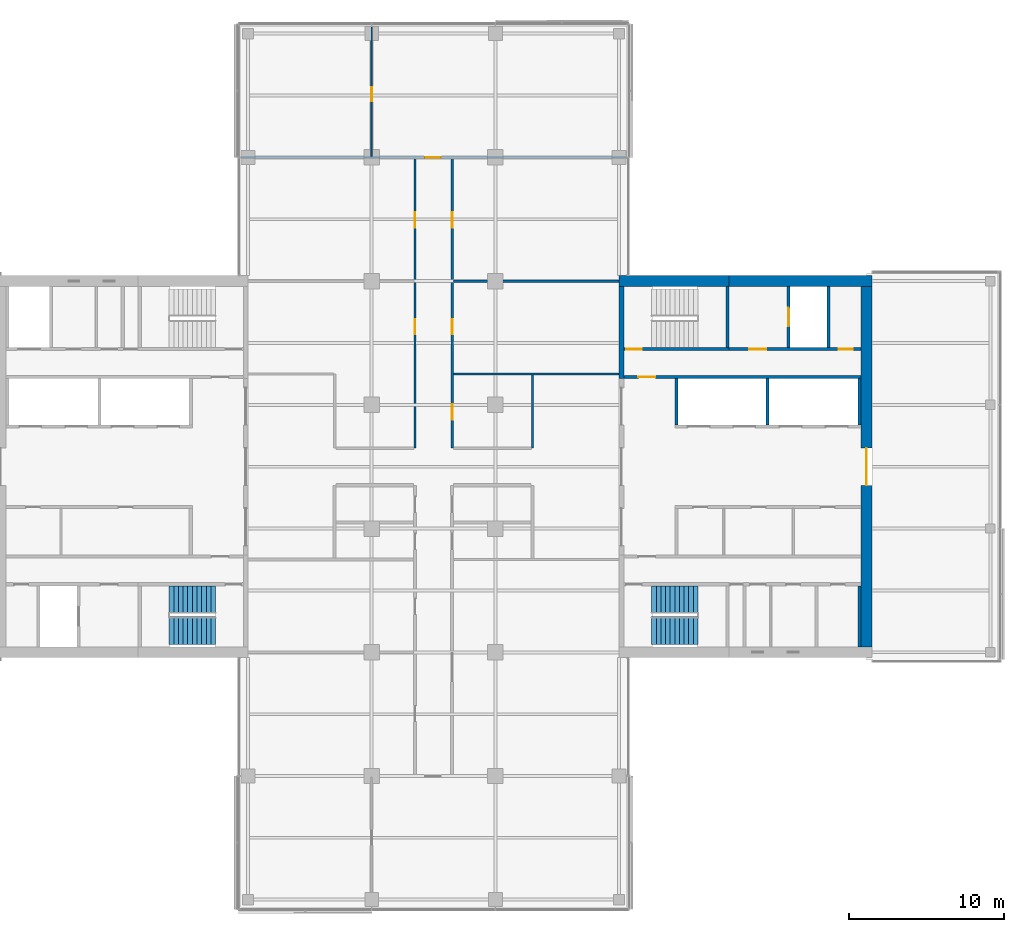
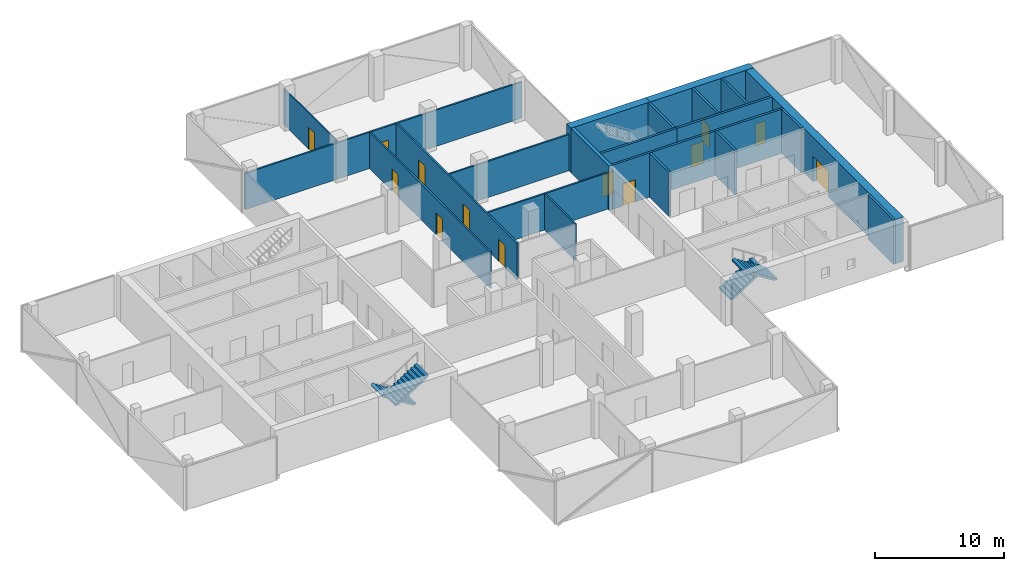
# One storey, part 16 of 22: 21 walls, 13 doors, 4 stair flights, 13 openings, 2 elements without a shape of their own.
"""IFC4 building model written with IfcOpenShell, lengths in metres."""

from ifc_helpers import new_model, si_unit, direction, frame, frame_2d, origin, place, context, subcontext, project, spatial, polyline, rectangle, outline, extrude, material, layer, layer_set, constituent, constituent_set, type_object, element, fill, aggregate, save


model = new_model("IFC4")

# Units and contexts
model_context = context("Model", 3, precision=1e-05, world=origin(), true_north=direction((0.0, 1.0)))
body_context = subcontext(model_context, "Body", "Model", "MODEL_VIEW")
ifc_project = project(units=[si_unit("LENGTHUNIT", "METRE"), si_unit("AREAUNIT", "SQUARE_METRE"), si_unit("VOLUMEUNIT", "CUBIC_METRE"), si_unit("PLANEANGLEUNIT", "RADIAN"), si_unit("MASSUNIT", "GRAM", prefix="KILO")], contexts=[model_context])

# Site, building, storey
site_placement = place(None, origin())
site = spatial("IfcSite", under=ifc_project, at=site_placement, CompositionType="ELEMENT")
building_placement = place(site_placement, origin())
building = spatial("IfcBuilding", under=site, at=building_placement, Name="Crosswind Convention Tower", CompositionType="ELEMENT")
storey_placement = place(building_placement, frame((0.0, 0.0, 158.89990234375)))
storey = spatial("IfcBuildingStorey", under=building, at=storey_placement, Name="L33", CompositionType="ELEMENT", Elevation=158.89990234375)

# Wall, opening, door
ifc_material_1 = material(Name="Concrete C60/75", Category="concrete")
ifc_layer_1 = layer(ifc_material_1, 0.699951171875)
ifc_layer_set_1 = layer_set([ifc_layer_1], Name="Concrete C60/75")
wall_type_1 = type_object("IfcWallType", Name="Concrete core wall 700", PredefinedType="SHEAR", material=ifc_layer_set_1)
wall_1_placement = place(storey_placement, frame((153.0, 88.35009765625, 0.0), z_axis=(0.0, 0.0, 1.0), x_axis=(0.0, 1.0, 0.0)))
wall_1 = element("IfcWall", 1, at=wall_1_placement, inside=storey, type_object=wall_type_1, Name="Wall O E L33", PredefinedType="SHEAR", context=body_context, shape_type="SweptSolid", body=[
    extrude(rectangle(XDim=23.2998046875, YDim=0.699951171875, at=frame_2d((11.64990234375, 0.0))), origin(), (0.0, 0.0, 1.0), 4.2001953125),
])
opening_1_placement = place(wall_1_placement, frame((10.449951171875, 0.0, 0.0)))
opening_1 = element("IfcOpeningElement", 2, at=opening_1_placement, cuts=wall_1, Name="Opening D100", PredefinedType="OPENING", context=body_context, shape_type="SweptSolid", body=[
    extrude(rectangle(XDim=2.39990234375, YDim=2.39990234375, at=frame_2d((1.199951171875, 1.199951171875))), frame((0.0, 0.35986328125, 0.0), z_axis=(0.0, -1.0, 0.0), x_axis=(1.0, 0.0, 0.0)), (0.0, 0.0, 1.0), 0.719970703125),
])
ifc_material_2 = material(Name="Steel fire door with glazed vision panels", Category="steel")
door_type_1 = type_object("IfcDoorType", Name="Fire-rated double door 2400x2400", OperationType="DOUBLE_DOOR_SINGLE_SWING", PredefinedType="DOOR", material=ifc_material_2)
door_1_placement = place(opening_1_placement, frame((2.39990234375, 0.0, 0.0), z_axis=(0.0, 0.0, 1.0), x_axis=(-1.0, 0.0, 0.0)))
door_1 = element("IfcDoor", 3, at=door_1_placement, inside=storey, type_object=door_type_1, Name="Lobby outer door L33", ObjectType="D100", OperationType="DOUBLE_DOOR_SINGLE_SWING", OverallHeight=2.39990234375, OverallWidth=2.39990234375, PredefinedType="DOOR", context=body_context, shape_type="SweptSolid", body=[
    extrude(rectangle(XDim=2.39990234375, YDim=2.39990234375, at=frame_2d((1.199951171875, 1.199951171875))), frame((0.0, 0.02490234375, 0.0), z_axis=(0.0, -1.0, 0.0), x_axis=(1.0, 0.0, 0.0)), (0.0, 0.0, 1.0), 0.050048828125),
])
fill(opening_1, door_1)

# Walls
ifc_material_3 = material(Name="Concrete C50/60", Category="concrete")
ifc_layer_2 = layer(ifc_material_3, 0.300048828125)
ifc_layer_set_2 = layer_set([ifc_layer_2], Name="Concrete C50/60")
wall_type_2 = type_object("IfcWallType", Name="Concrete inner core wall 300", PredefinedType="SHEAR", material=ifc_layer_set_2)
wall_2_placement = place(storey_placement, frame((137.14990234375, 105.699951171875, 0.0), z_axis=(0.0, 0.0, 1.0), x_axis=(0.0, 1.0, 0.0)))
element("IfcWall", 4, at=wall_2_placement, inside=storey, type_object=wall_type_2, Name="Wall EP E L33", PredefinedType="SHEAR", context=body_context, shape_type="SweptSolid", body=[
    extrude(rectangle(XDim=5.949951171875, YDim=0.300048828125, at=frame_2d((2.97509765625, 0.0))), origin(), (0.0, 0.0, 1.0), 4.2001953125),
])
ifc_layer_3 = layer(ifc_material_3, 0.199951171875)
ifc_layer_set_3 = layer_set([ifc_layer_3], Name="Concrete C50/60")
wall_type_3 = type_object("IfcWallType", Name="Concrete shaft and stair wall 200", PredefinedType="SHEAR", material=ifc_layer_set_3)
for number, where, z_axis, x_axis, name in (
    (5, (140.699951171875, 102.699951171875, 0.0), (0.0, 0.0, 1.0), (0.0, 1.0, 0.0), "Wall RPEND E L33"),
    (6, (146.60009765625, 102.699951171875, 0.0), (0.0, 0.0, 1.0), (0.0, 1.0, 0.0), "Wall RPSEP E L33"),
    (7, (152.550048828125, 102.699951171875, 0.0), (0.0, 0.0, 1.0), (0.0, 1.0, 0.0), "Wall RPEAST E L33"),
):
    element("IfcWall", number, at=place(storey_placement, frame(where, z_axis=z_axis, x_axis=x_axis)), inside=storey, type_object=wall_type_3, Name=name, PredefinedType="SHEAR", context=body_context, shape_type="SweptSolid", body=[
        extrude(rectangle(XDim=3.0, YDim=0.199951171875, at=frame_2d((1.5, 0.0))), origin(), (0.0, 0.0, 1.0), 4.2001953125),
    ])

# Wall, opening, door
wall_3_placement = place(storey_placement, frame((137.300048828125, 105.800048828125, 0.0), z_axis=(0.0, 0.0, 1.0), x_axis=(1.0, 0.0, 0.0)))
wall_3 = element("IfcWall", 8, at=wall_3_placement, inside=storey, type_object=wall_type_3, Name="Wall HP E L33", PredefinedType="SHEAR", context=body_context, shape_type="SweptSolid", body=[
    extrude(rectangle(XDim=15.349853515625, YDim=0.199951171875, at=frame_2d((7.6748046875, 0.0))), origin(), (0.0, 0.0, 1.0), 4.2001953125),
])
opening_2_placement = place(wall_3_placement, frame((0.949951171875, 0.0, 0.0)))
opening_2 = element("IfcOpeningElement", 9, at=opening_2_placement, cuts=wall_3, Name="Opening D104", PredefinedType="OPENING", context=body_context, shape_type="SweptSolid", body=[
    extrude(rectangle(XDim=1.10009765625, YDim=2.10009765625, at=frame_2d((0.550048828125, 1.050048828125))), frame((0.0, 0.10986328125, 0.0), z_axis=(0.0, -1.0, 0.0), x_axis=(1.0, 0.0, 0.0)), (0.0, 0.0, 1.0), 0.219970703125),
])
ifc_material_4 = material(Name="Steel fire door", Category="steel")
door_type_2 = type_object("IfcDoorType", Name="Fire-rated single door 1100x2100", OperationType="NOTDEFINED", PredefinedType="DOOR", material=ifc_material_4)
door_2_placement = place(opening_2_placement, origin())
door_2 = element("IfcDoor", 10, at=door_2_placement, inside=storey, type_object=door_type_2, Name="Corridor door L33", ObjectType="D104", OperationType="SINGLE_SWING_LEFT", OverallHeight=2.10009765625, OverallWidth=1.10009765625, PredefinedType="DOOR", context=body_context, shape_type="SweptSolid", body=[
    extrude(rectangle(XDim=1.10009765625, YDim=2.10009765625, at=frame_2d((0.550048828125, 1.050048828125))), frame((0.0, 0.02490234375, 0.0), z_axis=(0.0, -1.0, 0.0), x_axis=(1.0, 0.0, 0.0)), (0.0, 0.0, 1.0), 0.050048828125),
])
fill(opening_2, door_2)

# Wall
wall_4_placement = place(storey_placement, frame((144.0, 107.699951171875, 0.0), z_axis=(0.0, 0.0, 1.0), x_axis=(0.0, 1.0, 0.0)))
element("IfcWall", 11, at=wall_4_placement, inside=storey, type_object=wall_type_3, Name="Wall PSE E L33", PredefinedType="SHEAR", context=body_context, shape_type="SweptSolid", body=[
    extrude(rectangle(XDim=3.949951171875, YDim=0.199951171875, at=frame_2d((1.97509765625, 0.0))), origin(), (0.0, 0.0, 1.0), 4.2001953125),
])

# Wall, opening, door
wall_5_placement = place(storey_placement, frame((147.949951171875, 107.699951171875, 0.0), z_axis=(0.0, 0.0, 1.0), x_axis=(0.0, 1.0, 0.0)))
wall_5 = element("IfcWall", 12, at=wall_5_placement, inside=storey, type_object=wall_type_3, Name="Wall PFLW E L33", PredefinedType="SHEAR", context=body_context, shape_type="SweptSolid", body=[
    extrude(rectangle(XDim=3.949951171875, YDim=0.199951171875, at=frame_2d((1.97509765625, 0.0))), origin(), (0.0, 0.0, 1.0), 4.2001953125),
])
opening_3_placement = place(wall_5_placement, frame((1.375, 0.0, 0.0)))
opening_3 = element("IfcOpeningElement", 13, at=opening_3_placement, cuts=wall_5, Name="Opening LD1", PredefinedType="OPENING", context=body_context, shape_type="SweptSolid", body=[
    extrude(rectangle(XDim=1.199951171875, YDim=2.10009765625, at=frame_2d((0.60009765625, 1.050048828125))), frame((0.0, 0.10986328125, 0.0), z_axis=(0.0, -1.0, 0.0), x_axis=(1.0, 0.0, 0.0)), (0.0, 0.0, 1.0), 0.219970703125),
])
ifc_material_5 = material(Name="Stainless steel", Category="steel")
door_type_3 = type_object("IfcDoorType", Name="Lift landing door 1200x2100", OperationType="DOUBLE_DOOR_SLIDING", PredefinedType="DOOR", material=ifc_material_5)
door_3_placement = place(opening_3_placement, origin())
door_3 = element("IfcDoor", 14, at=door_3_placement, inside=storey, type_object=door_type_3, Name="Landing door FF1 L33", ObjectType="LD1", OperationType="DOUBLE_DOOR_SLIDING", OverallHeight=2.10009765625, OverallWidth=1.199951171875, PredefinedType="DOOR", context=body_context, shape_type="SweptSolid", body=[
    extrude(rectangle(XDim=1.199951171875, YDim=2.10009765625, at=frame_2d((0.60009765625, 1.050048828125))), frame((0.0, 0.02490234375, 0.0), z_axis=(0.0, -1.0, 0.0), x_axis=(1.0, 0.0, 0.0)), (0.0, 0.0, 1.0), 0.050048828125),
])
fill(opening_3, door_3)

# Wall
wall_6_placement = place(storey_placement, frame((150.550048828125, 107.699951171875, 0.0), z_axis=(0.0, 0.0, 1.0), x_axis=(0.0, 1.0, 0.0)))
element("IfcWall", 15, at=wall_6_placement, inside=storey, type_object=wall_type_3, Name="Wall PFSE E L33", PredefinedType="SHEAR", context=body_context, shape_type="SweptSolid", body=[
    extrude(rectangle(XDim=3.949951171875, YDim=0.199951171875, at=frame_2d((1.97509765625, 0.0))), origin(), (0.0, 0.0, 1.0), 4.2001953125),
])

# Wall, opening, door
wall_7_placement = place(storey_placement, frame((137.300048828125, 107.60009765625, 0.0), z_axis=(0.0, 0.0, 1.0), x_axis=(1.0, 0.0, 0.0)))
wall_7 = element("IfcWall", 16, at=wall_7_placement, inside=storey, type_object=wall_type_3, Name="Wall PCW E L33", PredefinedType="SHEAR", context=body_context, shape_type="SweptSolid", body=[
    extrude(rectangle(XDim=6.800048828125, YDim=0.199951171875, at=frame_2d((3.39990234375, 0.0))), origin(), (0.0, 0.0, 1.0), 4.2001953125),
])
opening_4_placement = place(wall_7_placement, frame((0.14990234375, 0.0, 0.0)))
opening_4 = element("IfcOpeningElement", 17, at=opening_4_placement, cuts=wall_7, Name="Opening D103", PredefinedType="OPENING", context=body_context, shape_type="SweptSolid", body=[
    extrude(rectangle(XDim=1.0, YDim=2.10009765625, at=frame_2d((0.5, 1.050048828125))), frame((0.0, 0.10986328125, 0.0), z_axis=(0.0, -1.0, 0.0), x_axis=(1.0, 0.0, 0.0)), (0.0, 0.0, 1.0), 0.219970703125),
])
door_type_4 = type_object("IfcDoorType", Name="Fire-rated single door 1000x2100", OperationType="NOTDEFINED", PredefinedType="DOOR", material=ifc_material_4)
door_4_placement = place(opening_4_placement, origin())
door_4 = element("IfcDoor", 18, at=door_4_placement, inside=storey, type_object=door_type_4, Name="Stair ST1 door L33", ObjectType="D103", OperationType="SINGLE_SWING_LEFT", OverallHeight=2.10009765625, OverallWidth=1.0, PredefinedType="DOOR", context=body_context, shape_type="SweptSolid", body=[
    extrude(rectangle(XDim=1.0, YDim=2.10009765625, at=frame_2d((0.5, 1.050048828125))), frame((0.0, 0.02490234375, 0.0), z_axis=(0.0, -1.0, 0.0), x_axis=(1.0, 0.0, 0.0)), (0.0, 0.0, 1.0), 0.050048828125),
])
fill(opening_4, door_4)

# Wall, openings, doors
wall_8_placement = place(storey_placement, frame((144.10009765625, 107.60009765625, 0.0), z_axis=(0.0, 0.0, 1.0), x_axis=(1.0, 0.0, 0.0)))
wall_8 = element("IfcWall", 19, at=wall_8_placement, inside=storey, type_object=wall_type_3, Name="Wall PCX E L33", PredefinedType="SHEAR", context=body_context, shape_type="SweptSolid", body=[
    extrude(rectangle(XDim=8.5498046875, YDim=0.199951171875, at=frame_2d((4.27490234375, 0.0))), origin(), (0.0, 0.0, 1.0), 4.2001953125),
])
opening_5_placement = place(wall_8_placement, frame((1.324951171875, 0.0, 0.0)))
opening_5 = element("IfcOpeningElement", 20, at=opening_5_placement, cuts=wall_8, Name="Opening D104", PredefinedType="OPENING", context=body_context, shape_type="SweptSolid", body=[
    extrude(rectangle(XDim=1.10009765625, YDim=2.10009765625, at=frame_2d((0.550048828125, 1.050048828125))), frame((0.0, 0.10986328125, 0.0), z_axis=(0.0, -1.0, 0.0), x_axis=(1.0, 0.0, 0.0)), (0.0, 0.0, 1.0), 0.219970703125),
])
opening_6_placement = place(wall_8_placement, frame((7.10009765625, 0.0, 0.0)))
opening_6 = element("IfcOpeningElement", 21, at=opening_6_placement, cuts=wall_8, Name="Opening D106", PredefinedType="OPENING", context=body_context, shape_type="SweptSolid", body=[
    extrude(rectangle(XDim=0.89990234375, YDim=2.10009765625, at=frame_2d((0.449951171875, 1.050048828125))), frame((0.0, 0.10986328125, 0.0), z_axis=(0.0, -1.0, 0.0), x_axis=(1.0, 0.0, 0.0)), (0.0, 0.0, 1.0), 0.219970703125),
])
door_5_placement = place(opening_5_placement, origin())
door_5 = element("IfcDoor", 22, at=door_5_placement, inside=storey, type_object=door_type_2, Name="Fire-fighting lobby FF1 door L33", ObjectType="D104", OperationType="SINGLE_SWING_RIGHT", OverallHeight=2.10009765625, OverallWidth=1.10009765625, PredefinedType="DOOR", context=body_context, shape_type="SweptSolid", body=[
    extrude(rectangle(XDim=1.10009765625, YDim=2.10009765625, at=frame_2d((0.550048828125, 1.050048828125))), frame((0.0, 0.02490234375, 0.0), z_axis=(0.0, -1.0, 0.0), x_axis=(1.0, 0.0, 0.0)), (0.0, 0.0, 1.0), 0.050048828125),
])
fill(opening_5, door_5)
ifc_material_6 = material(Name="Timber door", Category="wood")
door_type_5 = type_object("IfcDoorType", Name="Single leaf door 900x2100", OperationType="NOTDEFINED", PredefinedType="DOOR", material=ifc_material_6)
door_6_placement = place(opening_6_placement, origin())
door_6 = element("IfcDoor", 23, at=door_6_placement, inside=storey, type_object=door_type_5, Name="Door to comms room L33", ObjectType="D106", OperationType="SINGLE_SWING_RIGHT", OverallHeight=2.10009765625, OverallWidth=0.89990234375, PredefinedType="DOOR", context=body_context, shape_type="SweptSolid", body=[
    extrude(rectangle(XDim=0.89990234375, YDim=2.10009765625, at=frame_2d((0.449951171875, 1.050048828125))), frame((0.0, 0.02490234375, 0.0), z_axis=(0.0, -1.0, 0.0), x_axis=(1.0, 0.0, 0.0)), (0.0, 0.0, 1.0), 0.050048828125),
])
fill(opening_6, door_6)

# Wall
wall_9_placement = place(storey_placement, frame((152.550048828125, 88.35009765625, 0.0), z_axis=(0.0, 0.0, 1.0), x_axis=(0.0, 1.0, 0.0)))
element("IfcWall", 24, at=wall_9_placement, inside=storey, type_object=wall_type_3, Name="Wall MFSE E L33", PredefinedType="SHEAR", context=body_context, shape_type="SweptSolid", body=[
    extrude(rectangle(XDim=3.949951171875, YDim=0.199951171875, at=frame_2d((1.97509765625, 0.0))), origin(), (0.0, 0.0, 1.0), 4.2001953125),
])

# Wall, opening, door
ifc_material_7 = material(Name="Plasterboard partition", Category="gypsum")
ifc_layer_4 = layer(ifc_material_7, 0.10009765625)
ifc_layer_set_4 = layer_set([ifc_layer_4], Name="PARTITION 100 METAL STUD")
wall_type_4 = type_object("IfcWallType", Name="PARTITION 100 METAL STUD", PredefinedType="PARTITIONING", material=ifc_layer_set_4)
wall_10_placement = place(storey_placement, frame((121.0, 120.074951171875, 0.0), z_axis=(0.0, 0.0, 1.0), x_axis=(0.0, 1.0, 0.0)))
wall_10 = element("IfcWall", 25, at=wall_10_placement, inside=storey, type_object=wall_type_4, Name="Partition wall WT40", PredefinedType="PARTITIONING", context=body_context, shape_type="SweptSolid", body=[
    extrude(rectangle(XDim=8.344970703125, YDim=0.10009765625, at=frame_2d((4.17236328125, 0.0))), origin(), (0.0, 0.0, 1.0), 3.4365234375),
])
opening_7_placement = place(wall_10_placement, frame((3.550048828125, 0.0, 0.0)))
opening_7 = element("IfcOpeningElement", 26, at=opening_7_placement, cuts=wall_10, Name="Opening L33-63", PredefinedType="OPENING", context=body_context, shape_type="SweptSolid", body=[
    extrude(rectangle(XDim=0.89990234375, YDim=2.10009765625, at=frame_2d((0.449951171875, 1.050048828125))), frame((0.0, 0.06005859375, 0.0), z_axis=(0.0, -1.0, 0.0), x_axis=(1.0, 0.0, 0.0)), (0.0, 0.0, 1.0), 0.1201171875),
])
door_type_6 = type_object("IfcDoorType", Name="INTERNAL DOOR 900X2100", OperationType="NOTDEFINED", PredefinedType="DOOR", material=ifc_material_6)
door_7_placement = place(opening_7_placement, origin())
door_7 = element("IfcDoor", 27, at=door_7_placement, inside=storey, type_object=door_type_6, Name="Door L33-63", ObjectType="D40", OperationType="SINGLE_SWING_RIGHT", OverallHeight=2.10009765625, OverallWidth=0.89990234375, PredefinedType="DOOR", context=body_context, shape_type="SweptSolid", body=[
    extrude(rectangle(XDim=0.89990234375, YDim=2.10009765625, at=frame_2d((0.449951171875, 1.050048828125))), frame((0.0, 0.02490234375, 0.0), z_axis=(0.0, -1.0, 0.0), x_axis=(1.0, 0.0, 0.0)), (0.0, 0.0, 1.0), 0.050048828125),
])
fill(opening_7, door_7)

# Wall, openings, doors
ifc_material_8 = material(Name="Fire-board partition with mineral wool", Category="gypsum")
ifc_layer_5 = layer(ifc_material_8, 0.14990234375)
ifc_layer_set_5 = layer_set([ifc_layer_5], Name="TENANCY WALL 150 TWO-HOUR BOARD")
wall_type_5 = type_object("IfcWallType", Name="TENANCY WALL 150 TWO-HOUR BOARD", PredefinedType="PARTITIONING", material=ifc_layer_set_5)
wall_11_placement = place(storey_placement, frame((123.800048828125, 101.199951171875, 0.0), z_axis=(0.0, 0.0, 1.0), x_axis=(0.0, 1.0, 0.0)))
wall_11 = element("IfcWall", 28, at=wall_11_placement, inside=storey, type_object=wall_type_5, Name="Tenancy wall WT41", PredefinedType="PARTITIONING", context=body_context, shape_type="SweptSolid", body=[
    extrude(rectangle(XDim=18.72509765625, YDim=0.14990234375, at=frame_2d((9.362548828125, 0.0))), origin(), (0.0, 0.0, 1.0), 3.4365234375),
])
opening_8_placement = place(wall_11_placement, frame((7.35009765625, 0.0, 0.0)))
opening_8 = element("IfcOpeningElement", 29, at=opening_8_placement, cuts=wall_11, Name="Opening L33-56", PredefinedType="OPENING", context=body_context, shape_type="SweptSolid", body=[
    extrude(rectangle(XDim=1.0, YDim=2.10009765625, at=frame_2d((0.5, 1.050048828125))), frame((0.0, 0.0849609375, 0.0), z_axis=(0.0, -1.0, 0.0), x_axis=(1.0, 0.0, 0.0)), (0.0, 0.0, 1.0), 0.169921875),
])
opening_9_placement = place(wall_11_placement, frame((14.25, 0.0, 0.0)))
opening_9 = element("IfcOpeningElement", 30, at=opening_9_placement, cuts=wall_11, Name="Opening L33-57", PredefinedType="OPENING", context=body_context, shape_type="SweptSolid", body=[
    extrude(rectangle(XDim=1.0, YDim=2.10009765625, at=frame_2d((0.5, 1.050048828125))), frame((0.0, 0.0849609375, 0.0), z_axis=(0.0, -1.0, 0.0), x_axis=(1.0, 0.0, 0.0)), (0.0, 0.0, 1.0), 0.169921875),
])
ifc_material_9 = material(Name="Timber fire door", Category="wood")
door_type_7 = type_object("IfcDoorType", Name="TENANCY ENTRANCE DOOR 1000X2100 FD30S", OperationType="NOTDEFINED", PredefinedType="DOOR", material=ifc_material_9)
door_8_placement = place(opening_8_placement, origin())
door_8 = element("IfcDoor", 31, at=door_8_placement, inside=storey, type_object=door_type_7, Name="Door L33-56", ObjectType="D41", OperationType="SINGLE_SWING_RIGHT", OverallHeight=2.10009765625, OverallWidth=1.0, PredefinedType="DOOR", context=body_context, shape_type="SweptSolid", body=[
    extrude(rectangle(XDim=1.0, YDim=2.10009765625, at=frame_2d((0.5, 1.050048828125))), frame((0.0, 0.02490234375, 0.0), z_axis=(0.0, -1.0, 0.0), x_axis=(1.0, 0.0, 0.0)), (0.0, 0.0, 1.0), 0.050048828125),
])
fill(opening_8, door_8)
door_9_placement = place(opening_9_placement, origin())
door_9 = element("IfcDoor", 32, at=door_9_placement, inside=storey, type_object=door_type_7, Name="Door L33-57", ObjectType="D41", OperationType="SINGLE_SWING_LEFT", OverallHeight=2.10009765625, OverallWidth=1.0, PredefinedType="DOOR", context=body_context, shape_type="SweptSolid", body=[
    extrude(rectangle(XDim=1.0, YDim=2.10009765625, at=frame_2d((0.5, 1.050048828125))), frame((0.0, 0.02490234375, 0.0), z_axis=(0.0, -1.0, 0.0), x_axis=(1.0, 0.0, 0.0)), (0.0, 0.0, 1.0), 0.050048828125),
])
fill(opening_9, door_9)

wall_12_placement = place(storey_placement, frame((126.199951171875, 101.199951171875, 0.0), z_axis=(0.0, 0.0, 1.0), x_axis=(0.0, 1.0, 0.0)))
wall_12 = element("IfcWall", 33, at=wall_12_placement, inside=storey, type_object=wall_type_5, Name="Tenancy wall WT41", PredefinedType="PARTITIONING", context=body_context, shape_type="SweptSolid", body=[
    extrude(rectangle(XDim=18.72509765625, YDim=0.14990234375, at=frame_2d((9.362548828125, 0.0))), origin(), (0.0, 0.0, 1.0), 3.4365234375),
])
opening_10_placement = place(wall_12_placement, frame((1.85009765625, 0.0, 0.0)))
opening_10 = element("IfcOpeningElement", 34, at=opening_10_placement, cuts=wall_12, Name="Opening L33-50", PredefinedType="OPENING", context=body_context, shape_type="SweptSolid", body=[
    extrude(rectangle(XDim=1.0, YDim=2.10009765625, at=frame_2d((0.5, 1.050048828125))), frame((0.0, 0.0849609375, 0.0), z_axis=(0.0, -1.0, 0.0), x_axis=(1.0, 0.0, 0.0)), (0.0, 0.0, 1.0), 0.169921875),
])
opening_11_placement = place(wall_12_placement, frame((7.35009765625, 0.0, 0.0)))
opening_11 = element("IfcOpeningElement", 35, at=opening_11_placement, cuts=wall_12, Name="Opening L33-51", PredefinedType="OPENING", context=body_context, shape_type="SweptSolid", body=[
    extrude(rectangle(XDim=1.0, YDim=2.10009765625, at=frame_2d((0.5, 1.050048828125))), frame((0.0, 0.0849609375, 0.0), z_axis=(0.0, -1.0, 0.0), x_axis=(1.0, 0.0, 0.0)), (0.0, 0.0, 1.0), 0.169921875),
])
opening_12_placement = place(wall_12_placement, frame((14.25, 0.0, 0.0)))
opening_12 = element("IfcOpeningElement", 36, at=opening_12_placement, cuts=wall_12, Name="Opening L33-52", PredefinedType="OPENING", context=body_context, shape_type="SweptSolid", body=[
    extrude(rectangle(XDim=1.0, YDim=2.10009765625, at=frame_2d((0.5, 1.050048828125))), frame((0.0, 0.0849609375, 0.0), z_axis=(0.0, -1.0, 0.0), x_axis=(1.0, 0.0, 0.0)), (0.0, 0.0, 1.0), 0.169921875),
])
door_10_placement = place(opening_10_placement, frame((1.0, 0.0, 0.0), z_axis=(0.0, 0.0, 1.0), x_axis=(-1.0, 0.0, 0.0)))
door_10 = element("IfcDoor", 37, at=door_10_placement, inside=storey, type_object=door_type_7, Name="Door L33-50", ObjectType="D41", OperationType="SINGLE_SWING_RIGHT", OverallHeight=2.10009765625, OverallWidth=1.0, PredefinedType="DOOR", context=body_context, shape_type="SweptSolid", body=[
    extrude(rectangle(XDim=1.0, YDim=2.10009765625, at=frame_2d((0.5, 1.050048828125))), frame((0.0, 0.02490234375, 0.0), z_axis=(0.0, -1.0, 0.0), x_axis=(1.0, 0.0, 0.0)), (0.0, 0.0, 1.0), 0.050048828125),
])
fill(opening_10, door_10)
door_11_placement = place(opening_11_placement, frame((1.0, 0.0, 0.0), z_axis=(0.0, 0.0, 1.0), x_axis=(-1.0, 0.0, 0.0)))
door_11 = element("IfcDoor", 38, at=door_11_placement, inside=storey, type_object=door_type_7, Name="Door L33-51", ObjectType="D41", OperationType="SINGLE_SWING_LEFT", OverallHeight=2.10009765625, OverallWidth=1.0, PredefinedType="DOOR", context=body_context, shape_type="SweptSolid", body=[
    extrude(rectangle(XDim=1.0, YDim=2.10009765625, at=frame_2d((0.5, 1.050048828125))), frame((0.0, 0.02490234375, 0.0), z_axis=(0.0, -1.0, 0.0), x_axis=(1.0, 0.0, 0.0)), (0.0, 0.0, 1.0), 0.050048828125),
])
fill(opening_11, door_11)
door_12_placement = place(opening_12_placement, frame((1.0, 0.0, 0.0), z_axis=(0.0, 0.0, 1.0), x_axis=(-1.0, 0.0, 0.0)))
door_12 = element("IfcDoor", 39, at=door_12_placement, inside=storey, type_object=door_type_7, Name="Door L33-52", ObjectType="D41", OperationType="SINGLE_SWING_RIGHT", OverallHeight=2.10009765625, OverallWidth=1.0, PredefinedType="DOOR", context=body_context, shape_type="SweptSolid", body=[
    extrude(rectangle(XDim=1.0, YDim=2.10009765625, at=frame_2d((0.5, 1.050048828125))), frame((0.0, 0.02490234375, 0.0), z_axis=(0.0, -1.0, 0.0), x_axis=(1.0, 0.0, 0.0)), (0.0, 0.0, 1.0), 0.050048828125),
])
fill(opening_12, door_12)

# Walls
wall_13_placement = place(storey_placement, frame((131.39990234375, 101.199951171875, 0.0), z_axis=(0.0, 0.0, 1.0), x_axis=(0.0, 1.0, 0.0)))
element("IfcWall", 40, at=wall_13_placement, inside=storey, type_object=wall_type_5, Name="Tenancy wall WT41", PredefinedType="PARTITIONING", context=body_context, shape_type="SweptSolid", body=[
    extrude(rectangle(XDim=4.72509765625, YDim=0.14990234375, at=frame_2d((2.362548828125, 0.0))), origin(), (0.0, 0.0, 1.0), 3.4365234375),
])
for number, where, z_axis, x_axis, name in (
    (41, (126.27490234375, 106.0, 0.0), (0.0, 0.0, 1.0), (1.0, 0.0, 0.0), "Tenancy wall WT41"),
    (42, (126.27490234375, 112.0, 0.0), (0.0, 0.0, 1.0), (1.0, 0.0, 0.0), "Tenancy wall WT41"),
):
    element("IfcWall", number, at=place(storey_placement, frame(where, z_axis=z_axis, x_axis=x_axis)), inside=storey, type_object=wall_type_5, Name=name, PredefinedType="PARTITIONING", context=body_context, shape_type="SweptSolid", body=[
        extrude(rectangle(XDim=10.72509765625, YDim=0.14990234375, at=frame_2d((5.362548828125, 0.0))), origin(), (0.0, 0.0, 1.0), 3.4365234375),
    ])

# Wall, opening, door
wall_14_placement = place(storey_placement, frame((112.580078125, 120.0, 0.0), z_axis=(0.0, 0.0, 1.0), x_axis=(1.0, 0.0, 0.0)))
wall_14 = element("IfcWall", 43, at=wall_14_placement, inside=storey, type_object=wall_type_5, Name="Tenancy wall WT41", PredefinedType="PARTITIONING", context=body_context, shape_type="SweptSolid", body=[
    extrude(rectangle(XDim=24.83984375, YDim=0.14990234375, at=frame_2d((12.419921875, 0.0))), origin(), (0.0, 0.0, 1.0), 3.4365234375),
])
opening_13_placement = place(wall_14_placement, frame((11.8701171875, 0.0, 0.0)))
opening_13 = element("IfcOpeningElement", 44, at=opening_13_placement, cuts=wall_14, Name="Opening L33-62", PredefinedType="OPENING", context=body_context, shape_type="SweptSolid", body=[
    extrude(rectangle(XDim=1.0, YDim=2.10009765625, at=frame_2d((0.5, 1.050048828125))), frame((0.0, 0.0849609375, 0.0), z_axis=(0.0, -1.0, 0.0), x_axis=(1.0, 0.0, 0.0)), (0.0, 0.0, 1.0), 0.169921875),
])
door_13_placement = place(opening_13_placement, origin())
door_13 = element("IfcDoor", 45, at=door_13_placement, inside=storey, type_object=door_type_7, Name="Door L33-62", ObjectType="D41", OperationType="SINGLE_SWING_LEFT", OverallHeight=2.10009765625, OverallWidth=1.0, PredefinedType="DOOR", context=body_context, shape_type="SweptSolid", body=[
    extrude(rectangle(XDim=1.0, YDim=2.10009765625, at=frame_2d((0.5, 1.050048828125))), frame((0.0, 0.02490234375, 0.0), z_axis=(0.0, -1.0, 0.0), x_axis=(1.0, 0.0, 0.0)), (0.0, 0.0, 1.0), 0.050048828125),
])
fill(opening_13, door_13)

# Walls
ifc_constituent_1 = constituent(ifc_material_1, Name="Structure")
ifc_material_10 = material(Name="Terracotta rainscreen", Category="ceramic")
ifc_constituent_2 = constituent(ifc_material_10, Name="Facing")
ifc_constituent_set = constituent_set(constituents=[ifc_constituent_1, ifc_constituent_2], Name="Concrete C60/75, Terracotta rainscreen")
wall_type_6 = type_object("IfcWallType", Name="Terracotta rainscreen on concrete core wall 700", PredefinedType="SHEAR", material=ifc_constituent_set)
wall_15_placement = place(storey_placement, frame((137.0, 112.0, 0.0), z_axis=(0.0, 0.0, 1.0), x_axis=(1.0, 0.0, 0.0)))
element("IfcWall", 46, at=wall_15_placement, inside=storey, type_object=wall_type_6, Name="Wall N1 E L33", PredefinedType="SHEAR", context=body_context, shape_type="SweptSolid", body=[
    extrude(rectangle(XDim=7.10009765625, YDim=0.699951171875, at=frame_2d((3.550048828125, 0.0))), origin(), (0.0, 0.0, 1.0), 4.2001953125),
])
wall_16_placement = place(storey_placement, frame((144.10009765625, 112.0, 0.0), z_axis=(0.0, 0.0, 1.0), x_axis=(1.0, 0.0, 0.0)))
element("IfcWall", 47, at=wall_16_placement, inside=storey, type_object=wall_type_6, Name="Wall N2 E L33", PredefinedType="SHEAR", context=body_context, shape_type="SweptSolid", body=[
    extrude(rectangle(XDim=9.25, YDim=0.699951171875, at=frame_2d((4.625, 0.0))), origin(), (0.0, 0.0, 1.0), 4.2001953125),
])

# Stair, stair flights
ifc_material_11 = material(Name="Concrete C40/50", Category="concrete")
stair_type = type_object("IfcStairType", Name="Exit stair 1800 wide, 2 flights of 11 risers", PredefinedType="HALF_TURN_STAIR", material=ifc_material_11)
stair_1_placement = place(storey_placement, origin())
stair_1 = element("IfcStair", 48, at=stair_1_placement, inside=storey, type_object=stair_type, Name="Exit stair ST2 L33", ObjectType="ST5", PredefinedType="HALF_TURN_STAIR")
stair_flight_type = type_object("IfcStairFlightType", Name="Stair flight 1800 wide, 11 risers (SF4)", PredefinedType="STRAIGHT", material=ifc_material_11)
stair_flight_1_placement = place(storey_placement, frame((139.10009765625, 91.39990234375, 0.0), z_axis=(0.0, 0.0, 1.0), x_axis=(1.0, 0.0, 0.0)))
stair_flight_1 = element("IfcStairFlight", 49, at=stair_flight_1_placement, type_object=stair_flight_type, Name="ST2 flight 1", NumberOfRisers=11, NumberOfTreads=10, PredefinedType="STRAIGHT", RiserHeight=0.190909091, TreadLength=0.3, context=body_context, shape_type="SweptSolid", body=[
    extrude(outline(polyline([(0.0, 0.0), (0.0, 0.19091796875), (0.300048828125, 0.19091796875), (0.300048828125, 0.3818359375), (0.60009765625, 0.3818359375), (0.60009765625, 0.57275390625), (0.89990234375, 0.57275390625), (0.89990234375, 0.763671875), (1.199951171875, 0.763671875), (1.199951171875, 0.95458984375), (1.5, 0.95458984375), (1.5, 1.1455078125), (1.800048828125, 1.1455078125), (1.800048828125, 1.33642578125), (2.10009765625, 1.33642578125), (2.10009765625, 1.52734375), (2.39990234375, 1.52734375), (2.39990234375, 1.71826171875), (2.699951171875, 1.71826171875), (2.699951171875, 1.9091796875), (3.0, 1.9091796875), (3.0, 2.10009765625), (3.0, 1.7314453125), (0.279296875, 0.0), (0.0, 0.0)])), frame((0.0, 0.89990234375, 0.0), z_axis=(0.0, -1.0, 0.0), x_axis=(1.0, 0.0, 0.0)), (0.0, 0.0, 1.0), 1.800048828125),
])
stair_flight_2_placement = place(storey_placement, frame((142.10009765625, 89.39990234375, 2.10009765625), z_axis=(0.0, 0.0, 1.0), x_axis=(-1.0, 0.0, 0.0)))
stair_flight_2 = element("IfcStairFlight", 50, at=stair_flight_2_placement, type_object=stair_flight_type, Name="ST2 flight 2", NumberOfRisers=11, NumberOfTreads=10, PredefinedType="STRAIGHT", RiserHeight=0.190909091, TreadLength=0.3, context=body_context, shape_type="SweptSolid", body=[
    extrude(outline(polyline([(0.0, 0.0), (0.0, 0.19091796875), (0.300048828125, 0.19091796875), (0.300048828125, 0.3818359375), (0.60009765625, 0.3818359375), (0.60009765625, 0.57275390625), (0.89990234375, 0.57275390625), (0.89990234375, 0.763671875), (1.199951171875, 0.763671875), (1.199951171875, 0.95458984375), (1.5, 0.95458984375), (1.5, 1.1455078125), (1.800048828125, 1.1455078125), (1.800048828125, 1.33642578125), (2.10009765625, 1.33642578125), (2.10009765625, 1.52734375), (2.39990234375, 1.52734375), (2.39990234375, 1.71826171875), (2.699951171875, 1.71826171875), (2.699951171875, 1.9091796875), (3.0, 1.9091796875), (3.0, 2.10009765625), (3.0, 1.7314453125), (0.279296875, 0.0), (0.0, 0.0)])), frame((0.0, 0.89990234375, 0.0), z_axis=(0.0, -1.0, 0.0), x_axis=(1.0, 0.0, 0.0)), (0.0, 0.0, 1.0), 1.800048828125),
])
aggregate(stair_1, [stair_flight_1, stair_flight_2])

stair_2_placement = place(storey_placement, origin())
stair_2 = element("IfcStair", 51, at=stair_2_placement, inside=storey, type_object=stair_type, Name="Exit stair ST3 L33", ObjectType="ST5", PredefinedType="HALF_TURN_STAIR")
stair_flight_3_placement = place(storey_placement, frame((110.89990234375, 91.39990234375, 0.0), z_axis=(0.0, 0.0, 1.0), x_axis=(-1.0, 0.0, 0.0)))
stair_flight_3 = element("IfcStairFlight", 52, at=stair_flight_3_placement, type_object=stair_flight_type, Name="ST3 flight 1", NumberOfRisers=11, NumberOfTreads=10, PredefinedType="STRAIGHT", RiserHeight=0.190909091, TreadLength=0.3, context=body_context, shape_type="SweptSolid", body=[
    extrude(outline(polyline([(0.0, 0.0), (0.0, 0.19091796875), (0.300048828125, 0.19091796875), (0.300048828125, 0.3818359375), (0.60009765625, 0.3818359375), (0.60009765625, 0.57275390625), (0.89990234375, 0.57275390625), (0.89990234375, 0.763671875), (1.199951171875, 0.763671875), (1.199951171875, 0.95458984375), (1.5, 0.95458984375), (1.5, 1.1455078125), (1.800048828125, 1.1455078125), (1.800048828125, 1.33642578125), (2.10009765625, 1.33642578125), (2.10009765625, 1.52734375), (2.39990234375, 1.52734375), (2.39990234375, 1.71826171875), (2.699951171875, 1.71826171875), (2.699951171875, 1.9091796875), (3.0, 1.9091796875), (3.0, 2.10009765625), (3.0, 1.7314453125), (0.279296875, 0.0), (0.0, 0.0)])), frame((0.0, 0.89990234375, 0.0), z_axis=(0.0, -1.0, 0.0), x_axis=(1.0, 0.0, 0.0)), (0.0, 0.0, 1.0), 1.800048828125),
])
stair_flight_4_placement = place(storey_placement, frame((107.89990234375, 89.39990234375, 2.10009765625), z_axis=(0.0, 0.0, 1.0), x_axis=(1.0, 0.0, 0.0)))
stair_flight_4 = element("IfcStairFlight", 53, at=stair_flight_4_placement, type_object=stair_flight_type, Name="ST3 flight 2", NumberOfRisers=11, NumberOfTreads=10, PredefinedType="STRAIGHT", RiserHeight=0.190909091, TreadLength=0.3, context=body_context, shape_type="SweptSolid", body=[
    extrude(outline(polyline([(0.0, 0.0), (0.0, 0.19091796875), (0.300048828125, 0.19091796875), (0.300048828125, 0.3818359375), (0.60009765625, 0.3818359375), (0.60009765625, 0.57275390625), (0.89990234375, 0.57275390625), (0.89990234375, 0.763671875), (1.199951171875, 0.763671875), (1.199951171875, 0.95458984375), (1.5, 0.95458984375), (1.5, 1.1455078125), (1.800048828125, 1.1455078125), (1.800048828125, 1.33642578125), (2.10009765625, 1.33642578125), (2.10009765625, 1.52734375), (2.39990234375, 1.52734375), (2.39990234375, 1.71826171875), (2.699951171875, 1.71826171875), (2.699951171875, 1.9091796875), (3.0, 1.9091796875), (3.0, 2.10009765625), (3.0, 1.7314453125), (0.279296875, 0.0), (0.0, 0.0)])), frame((0.0, 0.89990234375, 0.0), z_axis=(0.0, -1.0, 0.0), x_axis=(1.0, 0.0, 0.0)), (0.0, 0.0, 1.0), 1.800048828125),
])
aggregate(stair_2, [stair_flight_3, stair_flight_4])

save(model, "model.ifc")
